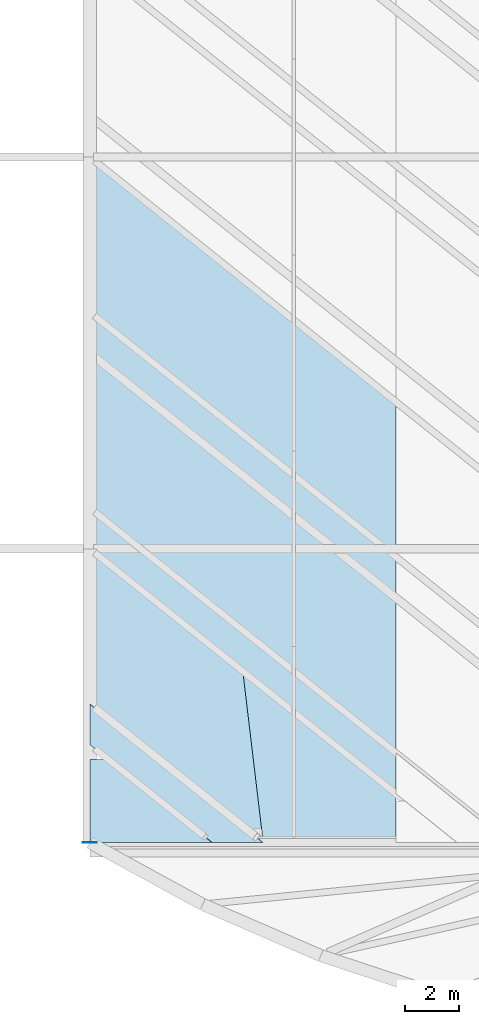
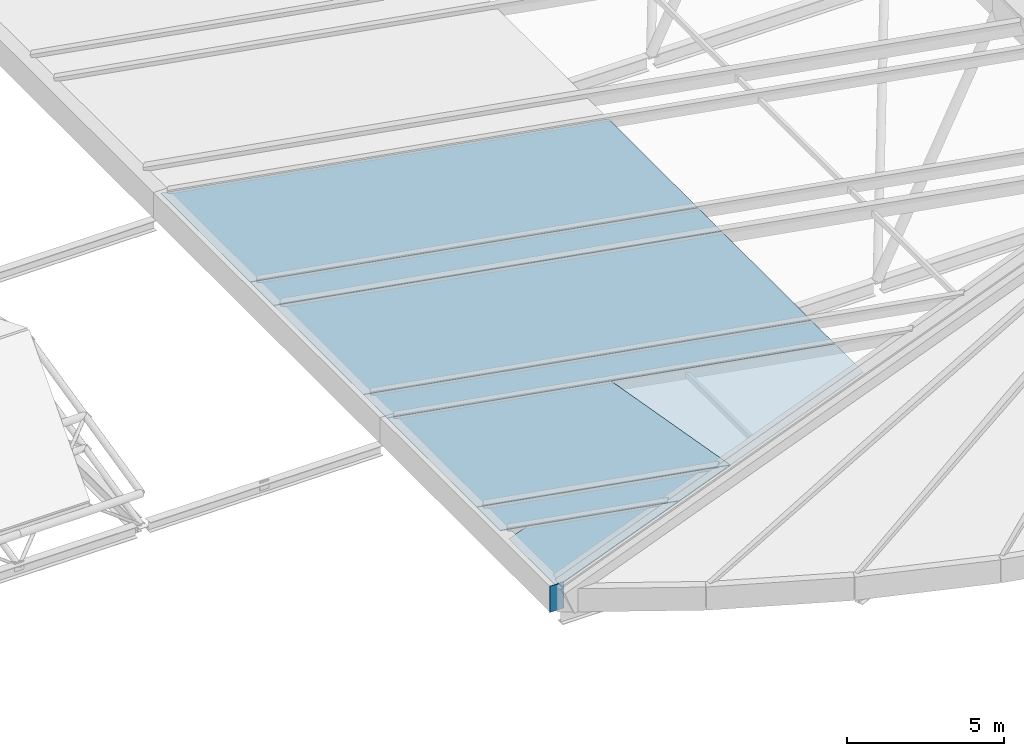
# One storey, part 61 of 110: 9 plates.
"""IFC4 building model written with IfcOpenShell, lengths in metres."""

from ifc_helpers import new_model, si_unit, direction, frame, origin, origin_2d, place, context, subcontext, project, spatial, polyline, rectangle, outline, extrude, material, layer, layer_set, type_object, element, save


model = new_model("IFC4")

# Units and contexts
model_context = context("Model", 3, precision=1e-05, world=origin(), true_north=direction((0.0, 1.0)))
body_context = subcontext(model_context, "Body", "Model", "MODEL_VIEW")
ifc_project = project(units=[si_unit("LENGTHUNIT", "METRE"), si_unit("AREAUNIT", "SQUARE_METRE"), si_unit("VOLUMEUNIT", "CUBIC_METRE"), si_unit("PLANEANGLEUNIT", "RADIAN"), si_unit("MASSUNIT", "GRAM", prefix="KILO")], contexts=[model_context])

# Site, building, storey
site_placement = place(None, origin())
site = spatial("IfcSite", under=ifc_project, at=site_placement, CompositionType="ELEMENT")
building_placement = place(site_placement, origin())
building = spatial("IfcBuilding", under=site, at=building_placement, Name="Tamarisk Ironworks Central Station", CompositionType="ELEMENT")
storey_placement = place(building_placement, frame((0.0, 0.0, 17.39990234375)))
storey = spatial("IfcBuildingStorey", under=building, at=storey_placement, Name="L03", CompositionType="ELEMENT", Elevation=17.39990234375)

# Plates
ifc_material_1 = material(Name="Painted structural steel S355J2", Category="steel")
ifc_layer_1 = layer(ifc_material_1, 0.01611328125)
ifc_layer_set_1 = layer_set([ifc_layer_1], Name="Painted structural steel S355J2")
plate_type_1 = type_object("IfcPlateType", Name="PL-EC16", PredefinedType="SHEET", material=ifc_layer_set_1)
plate_1_placement = place(storey_placement, frame((54.0, 10.800048828125, -1.60986328125), z_axis=(0.0, 0.0, 1.0), x_axis=(1.0, 0.0, 0.0)))
element("IfcPlate", 1, at=plate_1_placement, inside=storey, type_object=plate_type_1, Name="Eave box girder welded end-cap plate 001", PredefinedType="SHEET", context=body_context, shape_type="SweptSolid", body=[
    extrude(rectangle(XDim=0.52001953125, YDim=0.01611328125, at=origin_2d()), origin(), (0.0, 0.0, 1.0), 1.02001953125),
])
ifc_material_2 = material(Name="Laminated solar-control low-E glass", Category="glass")
ifc_layer_2 = layer(ifc_material_2, 0.031982421875)
ifc_layer_set_2 = layer_set([ifc_layer_2], Name="Laminated solar-control low-E glass")
plate_type_2 = type_object("IfcPlateType", Name="PL-RG32", PredefinedType="USERDEFINED", material=ifc_layer_set_2)
plate_2_placement = place(storey_placement, frame((54.00390625, 13.8544921875, -0.6982421875), z_axis=(-0.364206582275, 1.2528359e-05, 0.931318186911), x_axis=(-4.562911e-06, -0.999999999922, 1.1667888e-05)))
element("IfcPlate", 2, at=plate_2_placement, inside=storey, type_object=plate_type_2, Name="Concourse fitted 4-vertex fishbone roof glass panel 0061", ObjectType="ROOF GLAZING PANEL", PredefinedType="USERDEFINED", context=body_context, shape_type="SweptSolid", body=[
    extrude(outline(polyline([(0.0, 0.0), (3.050537109135594, -2.5839054384625202e-21), (3.050537109614406, 4.816933639223729), (-4.788116070851792e-10, 0.7227194670990056), (0.0, 0.0)])), origin(), (0.0, 0.0, -1.0), 0.031982421875),
])
plate_3_placement = place(storey_placement, frame((58.5, 10.803955078125, 1.06005859375), z_axis=(-0.36424924657, -3.7455272e-05, 0.931301500574), x_axis=(0.931301501227, 1.045e-09, 0.364249246825)))
element("IfcPlate", 3, at=plate_3_placement, inside=storey, type_object=plate_type_2, Name="Concourse fitted 4-vertex fishbone roof glass panel 0062", ObjectType="ROOF GLAZING PANEL", PredefinedType="USERDEFINED", context=body_context, shape_type="SweptSolid", body=[
    extrude(outline(polyline([(0.0, 0.0), (2.002585184908485, -3.3881317890172014e-21), (-4.827678588975131, 5.088867196115328), (-4.8276785905344655, 3.596923837786849), (0.0, 0.0)])), origin(), (0.0, 0.0, -1.0), 0.031982421875),
])
plate_4_placement = place(storey_placement, frame((60.375, 10.803955078125, 1.79345703125), z_axis=(-0.364230108154, 1.5653113e-05, 0.931308986357), x_axis=(0.931308986471, 8.4e-11, 0.364230108198)))
element("IfcPlate", 4, at=plate_4_placement, inside=storey, type_object=plate_type_2, Name="Concourse fitted 4-vertex fishbone roof glass panel 0063", ObjectType="ROOF GLAZING PANEL", PredefinedType="USERDEFINED", context=body_context, shape_type="SweptSolid", body=[
    extrude(outline(polyline([(0.0, 0.0), (5.2303624102399935, 0.0), (5.230362410390959, 1.7951660154050744), (-0.8053676255679452, 6.291992188778411), (0.0, 0.0)])), origin(), (0.0, 0.0, -1.0), 0.031982421875),
])
plate_5_placement = place(storey_placement, frame((60.375, 10.803955078125, 1.79345703125), z_axis=(-0.364212404997, 1.1840758e-05, 0.931315909832), x_axis=(-0.11823837613, 0.991907454704, -0.046252434663)))
element("IfcPlate", 5, at=plate_5_placement, inside=storey, type_object=plate_type_2, Name="Concourse fitted 4-vertex fishbone roof glass panel 0064", ObjectType="ROOF GLAZING PANEL", PredefinedType="USERDEFINED", context=body_context, shape_type="SweptSolid", body=[
    extrude(outline(polyline([(0.0, 0.0), (6.343325839984009, 8.326672684688674e-17), (11.570064292603233, 5.415866913488842), (5.924231675666197, 6.138526869388768), (0.0, 0.0)])), origin(), (0.0, 0.0, -1.0), 0.031982421875),
])
plate_6_placement = place(storey_placement, frame((65.24609375, 12.607177734375, 3.698486328125), z_axis=(-0.36422776346, 0.0, 0.931309903483), x_axis=(0.0, 1.0, 0.0)))
element("IfcPlate", 6, at=plate_6_placement, inside=storey, type_object=plate_type_2, Name="Concourse fitted 4-vertex fishbone roof glass panel 0065", ObjectType="ROOF GLAZING PANEL", PredefinedType="USERDEFINED", context=body_context, shape_type="SweptSolid", body=[
    extrude(outline(polyline([(0.0, 0.0), (1.491943359375, 0.0), (10.485595703125, 12.071371149346136), (8.99365234375, 12.071371149346136), (0.0, 0.0)])), origin(), (0.0, 0.0, -1.0), 0.031982421875),
])
plate_7_placement = place(storey_placement, frame((65.24609375, 14.107177734375, 3.698486328125), z_axis=(-0.36422776346, 0.0, 0.931309903483), x_axis=(0.0, 1.0, 0.0)))
element("IfcPlate", 7, at=plate_7_placement, inside=storey, type_object=plate_type_2, Name="Concourse fitted 4-vertex fishbone roof glass panel 0066", ObjectType="ROOF GLAZING PANEL", PredefinedType="USERDEFINED", context=body_context, shape_type="SweptSolid", body=[
    extrude(outline(polyline([(0.0, 0.0), (5.692138671875, 0.0), (14.685546875, 12.071371149346136), (8.99365234375, 12.071371149346136), (0.0, 0.0)])), origin(), (0.0, 0.0, -1.0), 0.031982421875),
])
plate_8_placement = place(storey_placement, frame((65.24609375, 19.80712890625, 3.698486328125), z_axis=(-0.36422776346, 0.0, 0.931309903483), x_axis=(0.0, 1.0, 0.0)))
element("IfcPlate", 8, at=plate_8_placement, inside=storey, type_object=plate_type_2, Name="Concourse fitted 4-vertex fishbone roof glass panel 0067", ObjectType="ROOF GLAZING PANEL", PredefinedType="USERDEFINED", context=body_context, shape_type="SweptSolid", body=[
    extrude(outline(polyline([(0.0, 0.0), (1.4921875, 0.0), (10.485595703125, 12.071371149346135), (8.99365234375, 12.071371149346135), (0.0, 0.0)])), origin(), (0.0, 0.0, -1.0), 0.031982421875),
])
plate_9_placement = place(storey_placement, frame((65.24609375, 21.30712890625, 3.698486328125), z_axis=(-0.36422776346, 0.0, 0.931309903483), x_axis=(0.0, 1.0, 0.0)))
element("IfcPlate", 9, at=plate_9_placement, inside=storey, type_object=plate_type_2, Name="Concourse fitted 4-vertex fishbone roof glass panel 0068", ObjectType="ROOF GLAZING PANEL", PredefinedType="USERDEFINED", context=body_context, shape_type="SweptSolid", body=[
    extrude(outline(polyline([(0.0, 0.0), (5.692138671875, 0.0), (14.685791015625, 12.071371149346135), (8.99365234375, 12.071371149346135), (0.0, 0.0)])), origin(), (0.0, 0.0, -1.0), 0.031982421875),
])

save(model, "model.ifc")
